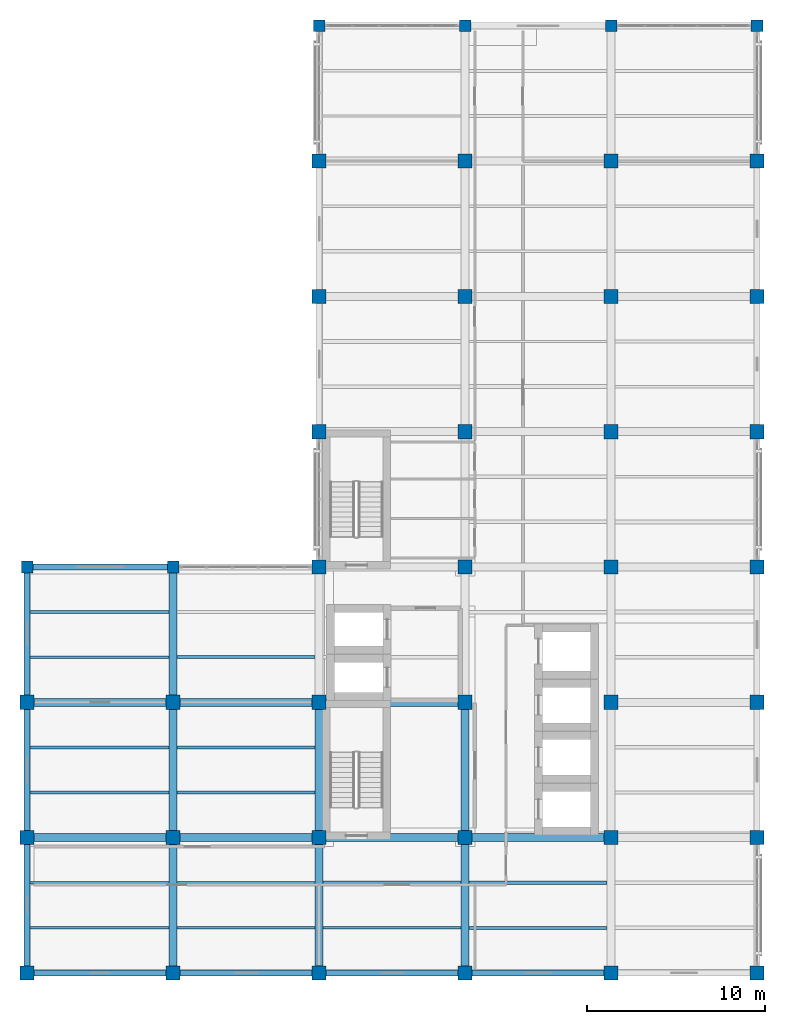
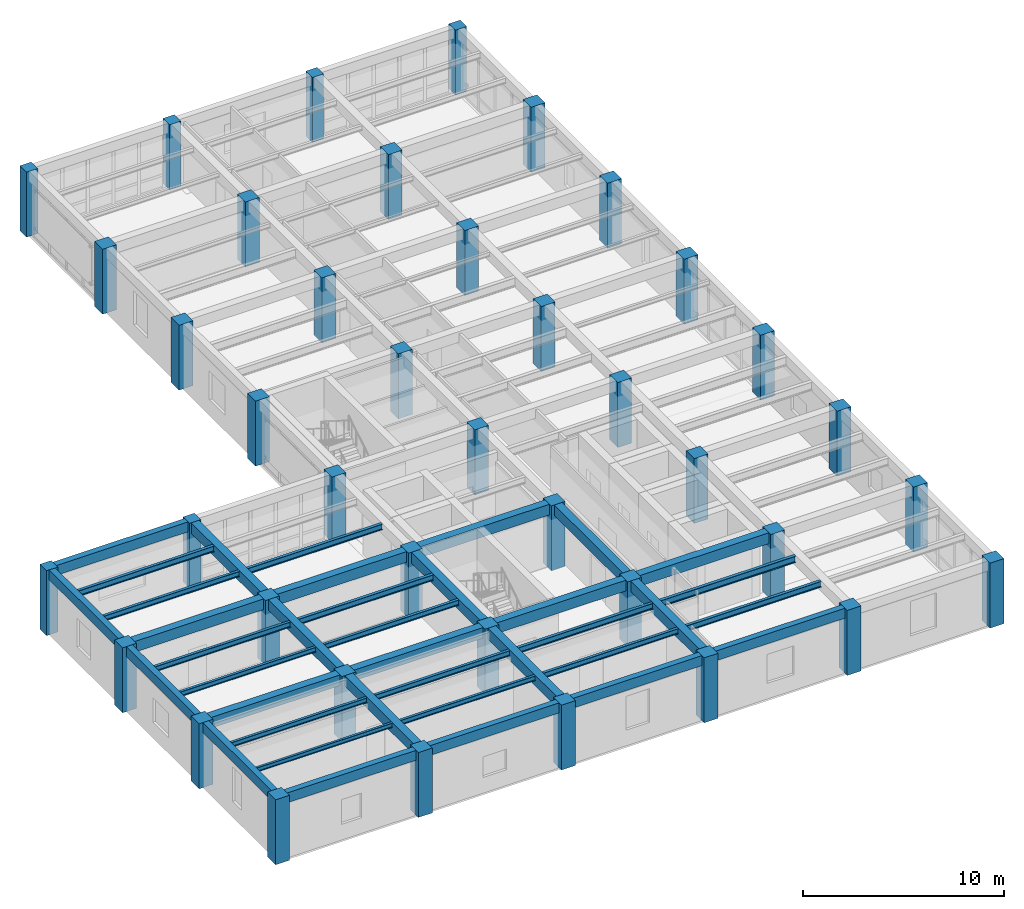
# One storey, part 1 of 14: 40 columns, 37 beams.
"""IFC4 building model written with IfcOpenShell, lengths in metres."""

import ifcopenshell
import ifcopenshell.guid

model = None  # the IFC model being written
_history = None  # IfcOwnerHistory: only IFC2X3 demands one
_inside = {}  # id of a spatial element -> (the spatial element, [elements in it])
_under = {}  # id of a project, library or spatial element -> (it, [spatial elements below it])
_declared = {}  # id of a project -> (the project, [libraries it declares])
_typed = {}  # id of a type object -> (the type object, [elements of that type])
_made_of = {}  # id of a material, layer set ... -> (it, [elements and type objects made of it])


def new_model(schema):
    """Start an empty IFC model of exactly this schema.

    Asked for "IFC4X3", IfcOpenShell would pick the latest addendum, in which some entities
    have other attributes; the version numbers below select the first issue.
    IFC2X3 requires an IfcOwnerHistory on every rooted entity: one is made here for all.
    """
    global model, _history
    if schema == "IFC4X3":
        model = ifcopenshell.file(schema_version=(4, 3, 0, 0))
    else:
        model = ifcopenshell.file(schema=schema)
    _inside.clear()
    _under.clear()
    _declared.clear()
    _typed.clear()
    _made_of.clear()
    _history = None
    if model.schema == "IFC2X3":
        org = make("IfcOrganization", Name="unknown")
        user = make(
            "IfcPersonAndOrganization",
            ThePerson=make("IfcPerson", FamilyName="unknown"),
            TheOrganization=org,
        )
        app = make(
            "IfcApplication",
            ApplicationDeveloper=org,
            Version="unknown",
            ApplicationFullName="unknown",
            ApplicationIdentifier="unknown",
        )
        _history = make(
            "IfcOwnerHistory",
            OwningUser=user,
            OwningApplication=app,
            ChangeAction="ADDED",
            CreationDate=0,
        )
    return model


def make(cls, **values):
    """One entity of the class cls with the attributes given. An attribute that is None is left unset."""
    return model.create_entity(
        cls, **{name: value for name, value in values.items() if value is not None}
    )


def rooted(cls, **values):
    """An entity with a GlobalId (a new one), such as an element, a storey or a relation."""
    return make(cls, GlobalId=ifcopenshell.guid.new(), OwnerHistory=_history, **values)


def si_unit(unit_type, name, prefix=None):
    """IfcSIUnit, for example si_unit("LENGTHUNIT", "METRE", prefix="MILLI")."""
    return make("IfcSIUnit", UnitType=unit_type, Prefix=prefix, Name=name)


def assignment(units):
    """IfcUnitAssignment: the units of a project."""
    return None if units is None else make("IfcUnitAssignment", Units=units)


def point(xyz):
    """IfcCartesianPoint."""
    return None if xyz is None else make("IfcCartesianPoint", Coordinates=xyz)


def direction(xyz):
    """IfcDirection."""
    return None if xyz is None else make("IfcDirection", DirectionRatios=xyz)


def frame(location, z_axis=None, x_axis=None):
    """IfcAxis2Placement3D, a coordinate frame: its origin and axes. An axis left out is left unset."""
    return make(
        "IfcAxis2Placement3D",
        Location=point(location),
        Axis=direction(z_axis),
        RefDirection=direction(x_axis),
    )


def frame_2d(location, x_axis=None):
    """IfcAxis2Placement2D, a coordinate frame in the plane: its origin and x axis."""
    return make(
        "IfcAxis2Placement2D", Location=point(location), RefDirection=direction(x_axis)
    )


def origin():
    """The frame at (0, 0, 0) with its axes left unset."""
    return frame((0.0, 0.0, 0.0))


def origin_2d():
    """The frame at (0, 0) in the plane with its x axis left unset."""
    return frame_2d((0.0, 0.0))


def place(relative_to, where):
    """IfcLocalPlacement: puts the frame where relative to a parent placement (None: the world)."""
    return make(
        "IfcLocalPlacement", PlacementRelTo=relative_to, RelativePlacement=where
    )


def context(
    kind, dimensions, precision=None, world=None, true_north=None, identifier=None
):
    """IfcGeometricRepresentationContext, for example the 3D "Model" context."""
    return make(
        "IfcGeometricRepresentationContext",
        ContextIdentifier=identifier,
        ContextType=kind,
        CoordinateSpaceDimension=dimensions,
        Precision=precision,
        WorldCoordinateSystem=world,
        TrueNorth=true_north,
    )


def subcontext(parent, identifier, kind, view, scale=None):
    """IfcGeometricRepresentationSubContext, for example "Body" below "Model"."""
    return make(
        "IfcGeometricRepresentationSubContext",
        ContextIdentifier=identifier,
        ContextType=kind,
        ParentContext=parent,
        TargetScale=scale,
        TargetView=view,
    )


def project(units=None, contexts=None):
    """IfcProject with its units and contexts."""
    return rooted(
        "IfcProject",
        Name="project",
        RepresentationContexts=contexts,
        UnitsInContext=assignment(units),
    )


def spatial(cls, under=None, at=None, **own):
    """A site, building, storey or space (cls), placed at a placement, below another one or the project."""
    s = rooted(cls, ObjectPlacement=at, **own)
    if under is not None:
        _under.setdefault(under.id(), (under, []))[1].append(s)
    return s


def profile(cls, at=None, kind="AREA", **sizes):
    """A parametric profile (cls). Its sizes go by their IFC names, for example OverallWidth=200.0."""
    return make(cls, ProfileType=kind, Position=at, **sizes)


def rectangle(**sizes):
    """IfcRectangleProfileDef."""
    return profile("IfcRectangleProfileDef", **sizes)


def i_section(**sizes):
    """IfcIShapeProfileDef."""
    return profile("IfcIShapeProfileDef", **sizes)


def extrude(swept, where, along, depth):
    """IfcExtrudedAreaSolid: the profile swept, set in the frame where, extruded along a direction by depth."""
    return make(
        "IfcExtrudedAreaSolid",
        SweptArea=swept,
        Position=where,
        ExtrudedDirection=direction(along),
        Depth=depth,
    )


def shape(context_of_items, identifier, shape_type, items):
    """IfcShapeRepresentation: the items that make up one representation, for example the "Body"."""
    return make(
        "IfcShapeRepresentation",
        ContextOfItems=context_of_items,
        RepresentationIdentifier=identifier,
        RepresentationType=shape_type,
        Items=items,
    )


def material(Name=None, Category=None):
    """IfcMaterial."""
    return make("IfcMaterial", Name=Name, Category=Category)


def material_profile(
    of_material, cross_section, Name=None, Category=None, Priority=None
):
    """IfcMaterialProfile: a cross section and its material."""
    return make(
        "IfcMaterialProfile",
        Name=Name,
        Material=of_material,
        Profile=cross_section,
        Priority=Priority,
        Category=Category,
    )


def profile_set(profiles, Name=None, composite=None):
    """IfcMaterialProfileSet."""
    return make(
        "IfcMaterialProfileSet",
        Name=Name,
        MaterialProfiles=profiles,
        CompositeProfile=composite,
    )


def made_of(thing, what):
    """Note that an element or type object is made of a material, layer set ...; save() writes the relation."""
    if what is not None:
        _made_of.setdefault(what.id(), (what, []))[1].append(thing)
    return thing


def type_object(cls, material=None, **own):
    """A type object (cls), such as IfcWallType, which elements share."""
    return made_of(rooted(cls, **own), material)


def element(
    cls,
    number,
    at=None,
    inside=None,
    cuts=None,
    type_object=None,
    material=None,
    context=None,
    identifier="Body",
    shape_type=None,
    held_by="IfcProductDefinitionShape",
    body=None,
    shapes=None,
    **own,
):
    """One element of the class cls, such as IfcWall. Its Tag is "e" and its number.

    at: its placement. inside: the storey or other place that contains it. cuts: it is an
    opening in that element (IfcRelVoidsElement). A single representation is given by context,
    identifier, shape_type and body (its items); several are given by shapes. held_by: the class
    of the entity that holds the representations. save() writes the other relations.
    """
    e = rooted(cls, Tag="e%d" % number, ObjectPlacement=at, **own)
    if body is not None:
        shapes = [shape(context, identifier, shape_type, body)]
    if shapes is not None:
        e.Representation = make(held_by, Representations=shapes)
    if inside is not None:
        _inside.setdefault(inside.id(), (inside, []))[1].append(e)
    if cuts is not None:
        rooted(
            "IfcRelVoidsElement", RelatingBuildingElement=cuts, RelatedOpeningElement=e
        )
    if type_object is not None:
        _typed.setdefault(type_object.id(), (type_object, []))[1].append(e)
    return made_of(e, material)


def aggregate(whole, parts):
    """IfcRelAggregates: a whole, such as a stair, and the parts it consists of."""
    return rooted("IfcRelAggregates", RelatingObject=whole, RelatedObjects=parts)


def save(model, path):
    """Write the relations noted so far, then the file.

    IfcRelAggregates (storeys below a building ...), IfcRelContainedInSpatialStructure (elements
    in a storey), IfcRelDefinesByType, IfcRelAssociatesMaterial and IfcRelDeclares: one each for
    every whole, place, type object, material and project.
    """
    for whole, parts in _under.values():
        aggregate(whole, parts)
    for where, things in _inside.values():
        rooted(
            "IfcRelContainedInSpatialStructure",
            RelatedElements=things,
            RelatingStructure=where,
        )
    for kind, things in _typed.values():
        rooted("IfcRelDefinesByType", RelatedObjects=things, RelatingType=kind)
    for what, things in _made_of.values():
        rooted("IfcRelAssociatesMaterial", RelatedObjects=things, RelatingMaterial=what)
    for by, libraries in _declared.values():
        rooted("IfcRelDeclares", RelatingContext=by, RelatedDefinitions=libraries)
    model.write(path)


model = new_model("IFC4")

# Units and contexts
model_context = context("Model", 3, precision=1e-05, world=origin(), true_north=direction((0.0, 1.0)))
body_context = subcontext(model_context, "Body", "Model", "MODEL_VIEW")
ifc_project = project(units=[si_unit("LENGTHUNIT", "METRE"), si_unit("AREAUNIT", "SQUARE_METRE"), si_unit("VOLUMEUNIT", "CUBIC_METRE"), si_unit("PLANEANGLEUNIT", "RADIAN"), si_unit("MASSUNIT", "GRAM", prefix="KILO")], contexts=[model_context])

# Site, building, storey
site_placement = place(None, origin())
site = spatial("IfcSite", under=ifc_project, at=site_placement, CompositionType="ELEMENT")
building_placement = place(site_placement, origin())
building = spatial("IfcBuilding", under=site, at=building_placement, Name="Qandaris Square Conservatory and Botanical Centre", CompositionType="ELEMENT")
storey_placement = place(building_placement, frame((0.0, 0.0, 40.800048828125)))
storey = spatial("IfcBuildingStorey", under=building, at=storey_placement, Name="L09", CompositionType="ELEMENT", Elevation=40.800048828125)

# Columns
ifc_material_1 = material(Name="Concrete C50/60", Category="concrete")
ifc_material_profile_1 = material_profile(ifc_material_1, rectangle(XDim=0.64990234375, YDim=0.64990234375, at=origin_2d()), Name="RC-COL 650x650")
ifc_profile_set_1 = profile_set([ifc_material_profile_1], Name="Concrete C50/60")
column_type_1 = type_object("IfcColumnType", Name="RC Column 650x650", PredefinedType="COLUMN", material=ifc_profile_set_1)
for number, where, z_axis, x_axis, name in (
    (1, (122.800048828125, 39.39990234375, 0.0), (0.0, 0.0, 1.0), (1.0, 0.0, 0.0), "Column E15 (L09)"),
    (2, (131.0, 39.39990234375, 0.0), (0.0, 0.0, 1.0), (1.0, 0.0, 0.0), "Column E16 (L09)"),
    (3, (139.199951171875, 69.800048828125, 0.0), (0.0, 0.0, 1.0), (1.0, 0.0, 0.0), "Column J17 (L09)"),
    (4, (147.39990234375, 69.800048828125, 0.0), (0.0, 0.0, 1.0), (1.0, 0.0, 0.0), "Column J18 (L09)"),
    (5, (155.60009765625, 69.800048828125, 0.0), (0.0, 0.0, 1.0), (1.0, 0.0, 0.0), "Column J19 (L09)"),
    (6, (163.800048828125, 69.800048828125, 0.0), (0.0, 0.0, 1.0), (1.0, 0.0, 0.0), "Column J20 (L09)"),
):
    element("IfcColumn", number, at=place(storey_placement, frame(where, z_axis=z_axis, x_axis=x_axis)), inside=storey, type_object=column_type_1, Name=name, PredefinedType="COLUMN", context=body_context, shape_type="SweptSolid", body=[
        extrude(rectangle(XDim=0.64990234375, YDim=0.64990234375, at=origin_2d()), origin(), (0.0, 0.0, 1.0), 3.93994140625),
    ])
ifc_material_profile_2 = material_profile(ifc_material_1, rectangle(XDim=0.800048828125, YDim=0.800048828125, at=origin_2d()), Name="RC-COL 800x800")
ifc_profile_set_2 = profile_set([ifc_material_profile_2], Name="Concrete C50/60")
column_type_2 = type_object("IfcColumnType", Name="RC Column 800x800", PredefinedType="COLUMN", material=ifc_profile_set_2)
for number, where, z_axis, x_axis, name in (
    (7, (122.800048828125, 16.60009765625, 0.0), (0.0, 0.0, 1.0), (1.0, 0.0, 0.0), "Column B15 (L09)"),
    (8, (122.800048828125, 24.199951171875, 0.0), (0.0, 0.0, 1.0), (1.0, 0.0, 0.0), "Column C15 (L09)"),
    (9, (122.800048828125, 31.800048828125, 0.0), (0.0, 0.0, 1.0), (1.0, 0.0, 0.0), "Column D15 (L09)"),
    (10, (131.0, 16.60009765625, 0.0), (0.0, 0.0, 1.0), (1.0, 0.0, 0.0), "Column B16 (L09)"),
    (11, (131.0, 24.199951171875, 0.0), (0.0, 0.0, 1.0), (1.0, 0.0, 0.0), "Column C16 (L09)"),
    (12, (131.0, 31.800048828125, 0.0), (0.0, 0.0, 1.0), (1.0, 0.0, 0.0), "Column D16 (L09)"),
    (13, (139.199951171875, 16.60009765625, 0.0), (0.0, 0.0, 1.0), (1.0, 0.0, 0.0), "Column B17 (L09)"),
    (14, (139.199951171875, 24.199951171875, 0.0), (0.0, 0.0, 1.0), (1.0, 0.0, 0.0), "Column C17 (L09)"),
    (15, (139.199951171875, 31.800048828125, 0.0), (0.0, 0.0, 1.0), (1.0, 0.0, 0.0), "Column D17 (L09)"),
    (16, (139.199951171875, 39.39990234375, 0.0), (0.0, 0.0, 1.0), (1.0, 0.0, 0.0), "Column E17 (L09)"),
    (17, (139.199951171875, 47.0, 0.0), (0.0, 0.0, 1.0), (1.0, 0.0, 0.0), "Column F17 (L09)"),
    (18, (139.199951171875, 54.60009765625, 0.0), (0.0, 0.0, 1.0), (1.0, 0.0, 0.0), "Column G17 (L09)"),
    (19, (139.199951171875, 62.199951171875, 0.0), (0.0, 0.0, 1.0), (1.0, 0.0, 0.0), "Column H17 (L09)"),
    (20, (147.39990234375, 16.60009765625, 0.0), (0.0, 0.0, 1.0), (1.0, 0.0, 0.0), "Column B18 (L09)"),
    (21, (147.39990234375, 24.199951171875, 0.0), (0.0, 0.0, 1.0), (1.0, 0.0, 0.0), "Column C18 (L09)"),
    (22, (147.39990234375, 31.800048828125, 0.0), (0.0, 0.0, 1.0), (1.0, 0.0, 0.0), "Column D18 (L09)"),
    (23, (147.39990234375, 39.39990234375, 0.0), (0.0, 0.0, 1.0), (1.0, 0.0, 0.0), "Column E18 (L09)"),
    (24, (147.39990234375, 47.0, 0.0), (0.0, 0.0, 1.0), (1.0, 0.0, 0.0), "Column F18 (L09)"),
    (25, (147.39990234375, 54.60009765625, 0.0), (0.0, 0.0, 1.0), (1.0, 0.0, 0.0), "Column G18 (L09)"),
    (26, (147.39990234375, 62.199951171875, 0.0), (0.0, 0.0, 1.0), (1.0, 0.0, 0.0), "Column H18 (L09)"),
    (27, (155.60009765625, 16.60009765625, 0.0), (0.0, 0.0, 1.0), (1.0, 0.0, 0.0), "Column B19 (L09)"),
    (28, (155.60009765625, 24.199951171875, 0.0), (0.0, 0.0, 1.0), (1.0, 0.0, 0.0), "Column C19 (L09)"),
    (29, (155.60009765625, 31.800048828125, 0.0), (0.0, 0.0, 1.0), (1.0, 0.0, 0.0), "Column D19 (L09)"),
    (30, (155.60009765625, 39.39990234375, 0.0), (0.0, 0.0, 1.0), (1.0, 0.0, 0.0), "Column E19 (L09)"),
    (31, (155.60009765625, 47.0, 0.0), (0.0, 0.0, 1.0), (1.0, 0.0, 0.0), "Column F19 (L09)"),
    (32, (155.60009765625, 54.60009765625, 0.0), (0.0, 0.0, 1.0), (1.0, 0.0, 0.0), "Column G19 (L09)"),
    (33, (155.60009765625, 62.199951171875, 0.0), (0.0, 0.0, 1.0), (1.0, 0.0, 0.0), "Column H19 (L09)"),
    (34, (163.800048828125, 16.60009765625, 0.0), (0.0, 0.0, 1.0), (1.0, 0.0, 0.0), "Column B20 (L09)"),
    (35, (163.800048828125, 24.199951171875, 0.0), (0.0, 0.0, 1.0), (1.0, 0.0, 0.0), "Column C20 (L09)"),
    (36, (163.800048828125, 31.800048828125, 0.0), (0.0, 0.0, 1.0), (1.0, 0.0, 0.0), "Column D20 (L09)"),
    (37, (163.800048828125, 39.39990234375, 0.0), (0.0, 0.0, 1.0), (1.0, 0.0, 0.0), "Column E20 (L09)"),
    (38, (163.800048828125, 47.0, 0.0), (0.0, 0.0, 1.0), (1.0, 0.0, 0.0), "Column F20 (L09)"),
    (39, (163.800048828125, 54.60009765625, 0.0), (0.0, 0.0, 1.0), (1.0, 0.0, 0.0), "Column G20 (L09)"),
    (40, (163.800048828125, 62.199951171875, 0.0), (0.0, 0.0, 1.0), (1.0, 0.0, 0.0), "Column H20 (L09)"),
):
    element("IfcColumn", number, at=place(storey_placement, frame(where, z_axis=z_axis, x_axis=x_axis)), inside=storey, type_object=column_type_2, Name=name, PredefinedType="COLUMN", context=body_context, shape_type="SweptSolid", body=[
        extrude(rectangle(XDim=0.800048828125, YDim=0.800048828125, at=origin_2d()), origin(), (0.0, 0.0, 1.0), 3.93994140625),
    ])

# Beams
ifc_material_2 = material(Name="Steel S355", Category="steel")
ifc_material_profile_3 = material_profile(ifc_material_2, i_section(OverallWidth=0.14990234375, OverallDepth=0.300048828125, WebThickness=0.007080078125, FlangeThickness=0.0107421875, FilletRadius=0.014892578125, at=origin_2d()), Name="IPE 300")
ifc_profile_set_3 = profile_set([ifc_material_profile_3], Name="Steel S355")
beam_type_1 = type_object("IfcBeamType", Name="Composite Lab Joist IPE 300", PredefinedType="JOIST", material=ifc_profile_set_3)
for number, where, z_axis, x_axis, name in (
    (41, (122.97509765625, 21.666748046875, 3.780029296875), (1.0, 0.0, 0.0), (0.0, 1.0, 0.0), "L09 Composite Joist 2387"),
    (42, (122.97509765625, 26.7333984375, 3.780029296875), (1.0, 0.0, 0.0), (0.0, 1.0, 0.0), "L09 Composite Joist 2388"),
):
    element("IfcBeam", number, at=place(storey_placement, frame(where, z_axis=z_axis, x_axis=x_axis)), inside=storey, type_object=beam_type_1, Name=name, PredefinedType="JOIST", context=body_context, shape_type="SweptSolid", body=[
        extrude(i_section(OverallWidth=0.14990234375, OverallDepth=0.300048828125, WebThickness=0.007080078125, FlangeThickness=0.0107421875, FilletRadius=0.014892578125, at=origin_2d()), origin(), (0.0, 0.0, 1.0), 7.7998046875),
    ])
beam_1_placement = place(storey_placement, frame((131.22509765625, 19.13330078125, 3.780029296875), z_axis=(1.0, 0.0, 0.0), x_axis=(0.0, 1.0, 0.0)))
element("IfcBeam", 43, at=beam_1_placement, inside=storey, type_object=beam_type_1, Name="L09 Composite Joist 2392", PredefinedType="JOIST", context=body_context, shape_type="SweptSolid", body=[
    extrude(i_section(OverallWidth=0.14990234375, OverallDepth=0.300048828125, WebThickness=0.007080078125, FlangeThickness=0.0107421875, FilletRadius=0.014892578125, at=origin_2d()), origin(), (0.0, 0.0, 1.0), 7.75),
])
ifc_material_profile_4 = material_profile(ifc_material_2, i_section(OverallWidth=0.159912109375, OverallDepth=0.330078125, WebThickness=0.007568359375, FlangeThickness=0.011474609375, FilletRadius=0.01806640625, at=origin_2d()), Name="IPE 330")
ifc_profile_set_4 = profile_set([ifc_material_profile_4], Name="Steel S355")
beam_type_2 = type_object("IfcBeamType", Name="Composite Lab Joist IPE 330", PredefinedType="JOIST", material=ifc_profile_set_4)
for number, where, z_axis, x_axis, name in (
    (44, (122.97509765625, 29.2666015625, 3.764892578125), (1.0, 0.0, 0.0), (0.0, 1.0, 0.0), "L09 Composite Joist 2389"),
    (45, (122.97509765625, 34.333251953125, 3.764892578125), (1.0, 0.0, 0.0), (0.0, 1.0, 0.0), "L09 Composite Joist 2390"),
):
    element("IfcBeam", number, at=place(storey_placement, frame(where, z_axis=z_axis, x_axis=x_axis)), inside=storey, type_object=beam_type_2, Name=name, PredefinedType="JOIST", context=body_context, shape_type="SweptSolid", body=[
        extrude(i_section(OverallWidth=0.159912109375, OverallDepth=0.330078125, WebThickness=0.007568359375, FlangeThickness=0.011474609375, FilletRadius=0.01806640625, at=origin_2d()), origin(), (0.0, 0.0, 1.0), 7.7998046875),
    ])
for number, where, z_axis, x_axis, name in (
    (46, (131.22509765625, 21.666748046875, 3.764892578125), (1.0, 0.0, 0.0), (0.0, 1.0, 0.0), "L09 Composite Joist 2393"),
    (47, (131.22509765625, 26.7333984375, 3.764892578125), (1.0, 0.0, 0.0), (0.0, 1.0, 0.0), "L09 Composite Joist 2394"),
    (48, (139.425048828125, 19.13330078125, 3.764892578125), (1.0, 0.0, 0.0), (0.0, 1.0, 0.0), "L09 Composite Joist 2398"),
):
    element("IfcBeam", number, at=place(storey_placement, frame(where, z_axis=z_axis, x_axis=x_axis)), inside=storey, type_object=beam_type_2, Name=name, PredefinedType="JOIST", context=body_context, shape_type="SweptSolid", body=[
        extrude(i_section(OverallWidth=0.159912109375, OverallDepth=0.330078125, WebThickness=0.007568359375, FlangeThickness=0.011474609375, FilletRadius=0.01806640625, at=origin_2d()), origin(), (0.0, 0.0, 1.0), 7.75),
    ])
ifc_material_profile_5 = material_profile(ifc_material_2, i_section(OverallWidth=0.169921875, OverallDepth=0.360107421875, WebThickness=0.008056640625, FlangeThickness=0.0126953125, FilletRadius=0.01806640625, at=origin_2d()), Name="IPE 360")
ifc_profile_set_5 = profile_set([ifc_material_profile_5], Name="Steel S355")
beam_type_3 = type_object("IfcBeamType", Name="Composite Lab Joist IPE 360", PredefinedType="JOIST", material=ifc_profile_set_5)
beam_2_placement = place(storey_placement, frame((122.97509765625, 36.86669921875, 3.75), z_axis=(1.0, 0.0, 0.0), x_axis=(0.0, 1.0, 0.0)))
element("IfcBeam", 49, at=beam_2_placement, inside=storey, type_object=beam_type_3, Name="L09 Composite Joist 2391", PredefinedType="JOIST", context=body_context, shape_type="SweptSolid", body=[
    extrude(i_section(OverallWidth=0.169921875, OverallDepth=0.360107421875, WebThickness=0.008056640625, FlangeThickness=0.0126953125, FilletRadius=0.01806640625, at=origin_2d()), origin(), (0.0, 0.0, 1.0), 7.7998046875),
])
for number, where, z_axis, x_axis, name in (
    (50, (131.22509765625, 29.2666015625, 3.75), (1.0, 0.0, 0.0), (0.0, 1.0, 0.0), "L09 Composite Joist 2395"),
    (51, (131.22509765625, 34.333251953125, 3.75), (1.0, 0.0, 0.0), (0.0, 1.0, 0.0), "L09 Composite Joist 2396"),
    (52, (139.425048828125, 21.666748046875, 3.75), (1.0, 0.0, 0.0), (0.0, 1.0, 0.0), "L09 Composite Joist 2399"),
    (53, (147.625, 19.13330078125, 3.75), (1.0, 0.0, 0.0), (0.0, 1.0, 0.0), "L09 Composite Joist 2407"),
):
    element("IfcBeam", number, at=place(storey_placement, frame(where, z_axis=z_axis, x_axis=x_axis)), inside=storey, type_object=beam_type_3, Name=name, PredefinedType="JOIST", context=body_context, shape_type="SweptSolid", body=[
        extrude(i_section(OverallWidth=0.169921875, OverallDepth=0.360107421875, WebThickness=0.008056640625, FlangeThickness=0.0126953125, FilletRadius=0.01806640625, at=origin_2d()), origin(), (0.0, 0.0, 1.0), 7.75),
    ])
ifc_material_profile_6 = material_profile(ifc_material_2, i_section(OverallWidth=0.179931640625, OverallDepth=0.39990234375, WebThickness=0.008544921875, FlangeThickness=0.013427734375, FilletRadius=0.02099609375, at=origin_2d()), Name="IPE 400")
ifc_profile_set_6 = profile_set([ifc_material_profile_6], Name="Steel S355")
beam_type_4 = type_object("IfcBeamType", Name="Composite Plinth Joist IPE 400", PredefinedType="JOIST", material=ifc_profile_set_6)
beam_3_placement = place(storey_placement, frame((147.625, 21.666748046875, 3.72998046875), z_axis=(1.0, 0.0, 0.0), x_axis=(0.0, 1.0, 0.0)))
element("IfcBeam", 54, at=beam_3_placement, inside=storey, type_object=beam_type_4, Name="L09 Composite Joist 2408", PredefinedType="JOIST", context=body_context, shape_type="SweptSolid", body=[
    extrude(i_section(OverallWidth=0.179931640625, OverallDepth=0.39990234375, WebThickness=0.008544921875, FlangeThickness=0.013427734375, FilletRadius=0.02099609375, at=origin_2d()), origin(), (0.0, 0.0, 1.0), 7.75),
])
ifc_material_profile_7 = material_profile(ifc_material_1, rectangle(XDim=0.35009765625, YDim=0.60009765625, at=origin_2d()), Name="RC-SP 350x600")
ifc_profile_set_7 = profile_set([ifc_material_profile_7], Name="Concrete C50/60")
beam_type_5 = type_object("IfcBeamType", Name="RC Edge Spandrel Beam 350x600", PredefinedType="SPANDREL", material=ifc_profile_set_7)
for number, where, z_axis, x_axis, name in (
    (55, (122.800048828125, 16.60009765625, 3.639892578125), (1.0, 0.0, 0.0), (0.0, 1.0, 0.0), "L09 Frame Beam 2321"),
    (56, (131.0, 16.60009765625, 3.639892578125), (1.0, 0.0, 0.0), (0.0, 1.0, 0.0), "L09 Frame Beam 2322"),
    (57, (139.199951171875, 16.60009765625, 3.639892578125), (1.0, 0.0, 0.0), (0.0, 1.0, 0.0), "L09 Frame Beam 2323"),
):
    element("IfcBeam", number, at=place(storey_placement, frame(where, z_axis=z_axis, x_axis=x_axis)), inside=storey, type_object=beam_type_5, Name=name, PredefinedType="SPANDREL", context=body_context, shape_type="SweptSolid", body=[
        extrude(rectangle(XDim=0.35009765625, YDim=0.60009765625, at=origin_2d()), origin(), (0.0, 0.0, 1.0), 8.199951171875),
    ])
beam_4_placement = place(storey_placement, frame((147.39990234375, 16.60009765625, 3.639892578125), z_axis=(1.0, 0.0, 0.0), x_axis=(0.0, 1.0, 0.0)))
element("IfcBeam", 58, at=beam_4_placement, inside=storey, type_object=beam_type_5, Name="L09 Frame Beam 2324", PredefinedType="SPANDREL", context=body_context, shape_type="SweptSolid", body=[
    extrude(rectangle(XDim=0.35009765625, YDim=0.60009765625, at=origin_2d()), origin(), (0.0, 0.0, 1.0), 8.2001953125),
])
beam_5_placement = place(storey_placement, frame((122.800048828125, 39.39990234375, 3.639892578125), z_axis=(1.0, 0.0, 0.0), x_axis=(0.0, 1.0, 0.0)))
element("IfcBeam", 59, at=beam_5_placement, inside=storey, type_object=beam_type_5, Name="L09 Frame Beam 2335", PredefinedType="SPANDREL", context=body_context, shape_type="SweptSolid", body=[
    extrude(rectangle(XDim=0.35009765625, YDim=0.60009765625, at=origin_2d()), origin(), (0.0, 0.0, 1.0), 8.199951171875),
])
beam_6_placement = place(storey_placement, frame((122.800048828125, 16.60009765625, 3.639892578125), z_axis=(0.0, 1.0, 0.0), x_axis=(-1.0, 0.0, 0.0)))
element("IfcBeam", 60, at=beam_6_placement, inside=storey, type_object=beam_type_5, Name="L09 Frame Beam 2352", PredefinedType="SPANDREL", context=body_context, shape_type="SweptSolid", body=[
    extrude(rectangle(XDim=0.35009765625, YDim=0.60009765625, at=origin_2d()), origin(), (0.0, 0.0, 1.0), 7.599853515625),
])
beam_7_placement = place(storey_placement, frame((122.800048828125, 24.199951171875, 3.639892578125), z_axis=(0.0, 1.0, 0.0), x_axis=(-1.0, 0.0, 0.0)))
element("IfcBeam", 61, at=beam_7_placement, inside=storey, type_object=beam_type_5, Name="L09 Frame Beam 2353", PredefinedType="SPANDREL", context=body_context, shape_type="SweptSolid", body=[
    extrude(rectangle(XDim=0.35009765625, YDim=0.60009765625, at=origin_2d()), origin(), (0.0, 0.0, 1.0), 7.60009765625),
])
beam_8_placement = place(storey_placement, frame((122.800048828125, 31.800048828125, 3.639892578125), z_axis=(0.0, 1.0, 0.0), x_axis=(-1.0, 0.0, 0.0)))
element("IfcBeam", 62, at=beam_8_placement, inside=storey, type_object=beam_type_5, Name="L09 Frame Beam 2354", PredefinedType="SPANDREL", context=body_context, shape_type="SweptSolid", body=[
    extrude(rectangle(XDim=0.35009765625, YDim=0.60009765625, at=origin_2d()), origin(), (0.0, 0.0, 1.0), 7.599853515625),
])
ifc_material_profile_8 = material_profile(ifc_material_1, rectangle(XDim=0.449951171875, YDim=0.64990234375, at=origin_2d()), Name="RC-BM 450x650")
ifc_profile_set_8 = profile_set([ifc_material_profile_8], Name="Concrete C50/60")
beam_type_6 = type_object("IfcBeamType", Name="RC Floor Girder 450x650", PredefinedType="BEAM", material=ifc_profile_set_8)
for number, where, z_axis, x_axis, name in (
    (63, (122.800048828125, 24.199951171875, 3.614990234375), (1.0, 0.0, 0.0), (0.0, 1.0, 0.0), "L09 Frame Beam 2326"),
    (64, (131.0, 24.199951171875, 3.614990234375), (1.0, 0.0, 0.0), (0.0, 1.0, 0.0), "L09 Frame Beam 2327"),
    (65, (139.199951171875, 24.199951171875, 3.614990234375), (1.0, 0.0, 0.0), (0.0, 1.0, 0.0), "L09 Frame Beam 2328"),
):
    element("IfcBeam", number, at=place(storey_placement, frame(where, z_axis=z_axis, x_axis=x_axis)), inside=storey, type_object=beam_type_6, Name=name, PredefinedType="BEAM", context=body_context, shape_type="SweptSolid", body=[
        extrude(rectangle(XDim=0.449951171875, YDim=0.64990234375, at=origin_2d()), origin(), (0.0, 0.0, 1.0), 8.199951171875),
    ])
beam_9_placement = place(storey_placement, frame((147.39990234375, 24.199951171875, 3.614990234375), z_axis=(1.0, 0.0, 0.0), x_axis=(0.0, 1.0, 0.0)))
element("IfcBeam", 66, at=beam_9_placement, inside=storey, type_object=beam_type_6, Name="L09 Frame Beam 2329", PredefinedType="BEAM", context=body_context, shape_type="SweptSolid", body=[
    extrude(rectangle(XDim=0.449951171875, YDim=0.64990234375, at=origin_2d()), origin(), (0.0, 0.0, 1.0), 8.2001953125),
])
for number, where, z_axis, x_axis, name in (
    (67, (122.800048828125, 31.800048828125, 3.614990234375), (1.0, 0.0, 0.0), (0.0, 1.0, 0.0), "L09 Frame Beam 2331"),
    (68, (131.0, 31.800048828125, 3.614990234375), (1.0, 0.0, 0.0), (0.0, 1.0, 0.0), "L09 Frame Beam 2332"),
    (69, (139.199951171875, 31.800048828125, 3.614990234375), (1.0, 0.0, 0.0), (0.0, 1.0, 0.0), "L09 Frame Beam 2333"),
):
    element("IfcBeam", number, at=place(storey_placement, frame(where, z_axis=z_axis, x_axis=x_axis)), inside=storey, type_object=beam_type_6, Name=name, PredefinedType="BEAM", context=body_context, shape_type="SweptSolid", body=[
        extrude(rectangle(XDim=0.449951171875, YDim=0.64990234375, at=origin_2d()), origin(), (0.0, 0.0, 1.0), 8.199951171875),
    ])
beam_10_placement = place(storey_placement, frame((131.0, 16.60009765625, 3.614990234375), z_axis=(0.0, 1.0, 0.0), x_axis=(-1.0, 0.0, 0.0)))
element("IfcBeam", 70, at=beam_10_placement, inside=storey, type_object=beam_type_6, Name="L09 Frame Beam 2355", PredefinedType="BEAM", context=body_context, shape_type="SweptSolid", body=[
    extrude(rectangle(XDim=0.449951171875, YDim=0.64990234375, at=origin_2d()), origin(), (0.0, 0.0, 1.0), 7.599853515625),
])
beam_11_placement = place(storey_placement, frame((131.0, 24.199951171875, 3.614990234375), z_axis=(0.0, 1.0, 0.0), x_axis=(-1.0, 0.0, 0.0)))
element("IfcBeam", 71, at=beam_11_placement, inside=storey, type_object=beam_type_6, Name="L09 Frame Beam 2356", PredefinedType="BEAM", context=body_context, shape_type="SweptSolid", body=[
    extrude(rectangle(XDim=0.449951171875, YDim=0.64990234375, at=origin_2d()), origin(), (0.0, 0.0, 1.0), 7.60009765625),
])
for number, where, z_axis, x_axis, name in (
    (72, (131.0, 31.800048828125, 3.614990234375), (0.0, 1.0, 0.0), (-1.0, 0.0, 0.0), "L09 Frame Beam 2357"),
    (73, (139.199951171875, 16.60009765625, 3.614990234375), (0.0, 1.0, 0.0), (-1.0, 0.0, 0.0), "L09 Frame Beam 2358"),
):
    element("IfcBeam", number, at=place(storey_placement, frame(where, z_axis=z_axis, x_axis=x_axis)), inside=storey, type_object=beam_type_6, Name=name, PredefinedType="BEAM", context=body_context, shape_type="SweptSolid", body=[
        extrude(rectangle(XDim=0.449951171875, YDim=0.64990234375, at=origin_2d()), origin(), (0.0, 0.0, 1.0), 7.599853515625),
    ])
beam_12_placement = place(storey_placement, frame((139.199951171875, 24.199951171875, 3.614990234375), z_axis=(0.0, 1.0, 0.0), x_axis=(-1.0, 0.0, 0.0)))
element("IfcBeam", 74, at=beam_12_placement, inside=storey, type_object=beam_type_6, Name="L09 Frame Beam 2359", PredefinedType="BEAM", context=body_context, shape_type="SweptSolid", body=[
    extrude(rectangle(XDim=0.449951171875, YDim=0.64990234375, at=origin_2d()), origin(), (0.0, 0.0, 1.0), 7.60009765625),
])
beam_13_placement = place(storey_placement, frame((147.39990234375, 16.60009765625, 3.614990234375), z_axis=(0.0, 1.0, 0.0), x_axis=(-1.0, 0.0, 0.0)))
element("IfcBeam", 75, at=beam_13_placement, inside=storey, type_object=beam_type_6, Name="L09 Frame Beam 2365", PredefinedType="BEAM", context=body_context, shape_type="SweptSolid", body=[
    extrude(rectangle(XDim=0.449951171875, YDim=0.64990234375, at=origin_2d()), origin(), (0.0, 0.0, 1.0), 7.599853515625),
])
beam_14_placement = place(storey_placement, frame((147.39990234375, 24.199951171875, 3.614990234375), z_axis=(0.0, 1.0, 0.0), x_axis=(-1.0, 0.0, 0.0)))
element("IfcBeam", 76, at=beam_14_placement, inside=storey, type_object=beam_type_6, Name="L09 Frame Beam 2366", PredefinedType="BEAM", context=body_context, shape_type="SweptSolid", body=[
    extrude(rectangle(XDim=0.449951171875, YDim=0.64990234375, at=origin_2d()), origin(), (0.0, 0.0, 1.0), 7.60009765625),
])
ifc_material_profile_9 = material_profile(ifc_material_2, i_section(OverallWidth=0.135009765625, OverallDepth=0.27001953125, WebThickness=0.006591796875, FlangeThickness=0.01025390625, FilletRadius=0.014892578125, at=origin_2d()), Name="IPE 270")
ifc_profile_set_9 = profile_set([ifc_material_profile_9], Name="Steel S355")
beam_type_7 = type_object("IfcBeamType", Name="Steel Floor Joist IPE 270", PredefinedType="JOIST", material=ifc_profile_set_9)
beam_15_placement = place(storey_placement, frame((122.97509765625, 19.13330078125, 3.794921875), z_axis=(1.0, 0.0, 0.0), x_axis=(0.0, 1.0, 0.0)))
element("IfcBeam", 77, at=beam_15_placement, inside=storey, type_object=beam_type_7, Name="L09 Composite Joist 2386", PredefinedType="JOIST", context=body_context, shape_type="SweptSolid", body=[
    extrude(i_section(OverallWidth=0.135009765625, OverallDepth=0.27001953125, WebThickness=0.006591796875, FlangeThickness=0.01025390625, FilletRadius=0.014892578125, at=origin_2d()), origin(), (0.0, 0.0, 1.0), 7.7998046875),
])

save(model, "model.ifc")
